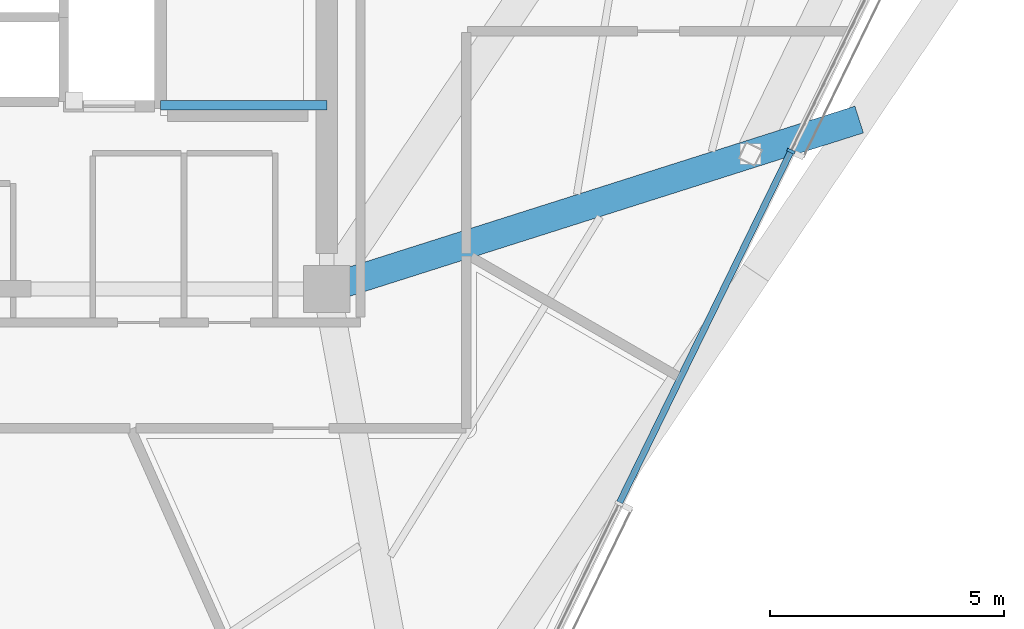
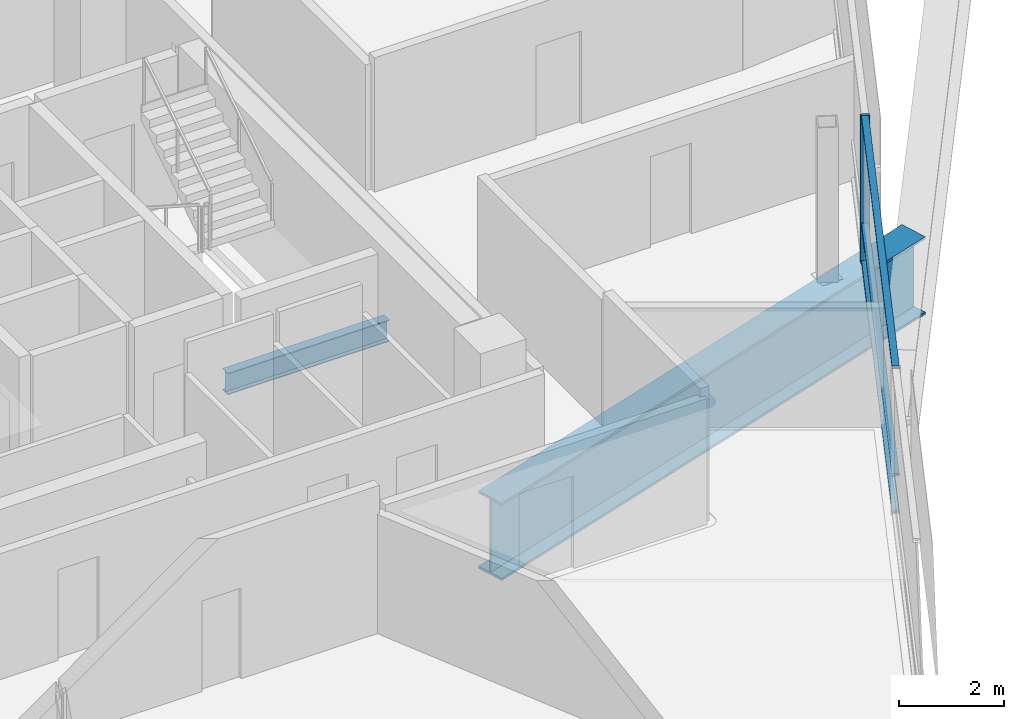
# One storey, part 5 of 17: 4 members, 2 beams, 1 element without a shape of its own.
"""IFC4 building model written with IfcOpenShell, lengths in metres."""

from ifc_helpers import new_model, si_unit, direction, frame, origin, origin_2d, place, context, subcontext, project, spatial, rectangle, i_section, extrude, material, layer, layer_set, material_profile, profile_set, type_object, element, aggregate, save


model = new_model("IFC4")

# Units and contexts
model_context = context("Model", 3, precision=1e-05, world=origin(), true_north=direction((0.0, 1.0)))
body_context = subcontext(model_context, "Body", "Model", "MODEL_VIEW")
ifc_project = project(units=[si_unit("LENGTHUNIT", "METRE"), si_unit("AREAUNIT", "SQUARE_METRE"), si_unit("VOLUMEUNIT", "CUBIC_METRE"), si_unit("PLANEANGLEUNIT", "RADIAN"), si_unit("MASSUNIT", "GRAM", prefix="KILO")], contexts=[model_context])

# Site, building, storey
site_placement = place(None, origin())
site = spatial("IfcSite", under=ifc_project, at=site_placement, CompositionType="ELEMENT")
building_placement = place(site_placement, origin())
building = spatial("IfcBuilding", under=site, at=building_placement, Name="Tharavind Bronze Gate", CompositionType="ELEMENT")
storey_placement = place(building_placement, frame((0.0, 0.0, 253.39990234375)))
storey = spatial("IfcBuildingStorey", under=building, at=storey_placement, Name="L65", CompositionType="ELEMENT", Elevation=253.39990234375)

# Curtain wall, members
ifc_material_1 = material(Name="Anodised Bronze Aluminium", Category="aluminium")
ifc_layer = layer(ifc_material_1, 0.219970703125)
ifc_layer_set = layer_set([ifc_layer], Name="Anodised Bronze Aluminium")
curtain_wall_type = type_object("IfcCurtainWallType", Name="UNITISED CURTAIN WALL UPPER OFFICE", PredefinedType="USERDEFINED", material=ifc_layer_set)
curtain_wall_placement = place(storey_placement, origin())
curtain_wall = element("IfcCurtainWall", 1, at=curtain_wall_placement, inside=storey, type_object=curtain_wall_type, Name="L65 unitised curtain wall upper office CW-L65-S2", ObjectType="UNITISED CURTAIN WALL", PredefinedType="USERDEFINED")
member_type_1 = type_object("IfcMemberType", Name="CURTAIN WALL BRONZE MULLION 65X180", PredefinedType="MULLION", material=ifc_material_1)
member_1_placement = place(storey_placement, frame((18.81494140625, -4.66162109375, 0.000244140625), z_axis=(0.0, 0.0, 1.0), x_axis=(0.43837271548, 0.898793281196, 0.0)))
member_1 = element("IfcMember", 2, at=member_1_placement, type_object=member_type_1, Name="CW-L65-S2 mullion 5", PredefinedType="MULLION", context=body_context, shape_type="SweptSolid", body=[
    extrude(rectangle(XDim=0.06494140625, YDim=0.179931640625, at=origin_2d()), origin(), (0.0, 0.0, 1.0), 3.419921875),
])
member_type_2 = type_object("IfcMemberType", Name="CURTAIN WALL BRONZE TRANSOM 65X140", PredefinedType="USERDEFINED", material=ifc_material_1)
member_2_placement = place(storey_placement, frame((16.979736328125, -8.424072265625, 0.000244140625), z_axis=(0.0, 0.0, 1.0), x_axis=(0.43837271548, 0.898793281196, 0.0)))
member_2 = element("IfcMember", 3, at=member_2_placement, type_object=member_type_2, Name="CW-L65-S2 transom TB4", ObjectType="TRANSOM", PredefinedType="USERDEFINED", context=body_context, shape_type="SweptSolid", body=[
    extrude(rectangle(XDim=8.3193359375, YDim=0.139892578125, at=origin_2d()), origin(), (0.0, 0.0, 1.0), 0.06494140625),
])
member_3_placement = place(storey_placement, frame((16.979736328125, -8.424072265625, 0.86767578125), z_axis=(0.0, 0.0, 1.0), x_axis=(0.43837271548, 0.898793281196, 0.0)))
member_3 = element("IfcMember", 4, at=member_3_placement, type_object=member_type_2, Name="CW-L65-S2 transom TS4", ObjectType="TRANSOM", PredefinedType="USERDEFINED", context=body_context, shape_type="SweptSolid", body=[
    extrude(rectangle(XDim=8.3193359375, YDim=0.139892578125, at=origin_2d()), origin(), (0.0, 0.0, 1.0), 0.06494140625),
])
member_4_placement = place(storey_placement, frame((16.979736328125, -8.424072265625, 3.355224609375), z_axis=(0.0, 0.0, 1.0), x_axis=(0.43837271548, 0.898793281196, 0.0)))
member_4 = element("IfcMember", 5, at=member_4_placement, type_object=member_type_2, Name="CW-L65-S2 transom TT4", ObjectType="TRANSOM", PredefinedType="USERDEFINED", context=body_context, shape_type="SweptSolid", body=[
    extrude(rectangle(XDim=8.3193359375, YDim=0.139892578125, at=origin_2d()), origin(), (0.0, 0.0, 1.0), 0.06494140625),
])
aggregate(curtain_wall, [member_1, member_2, member_3, member_4])

# Beams
ifc_material_2 = material(Name="Steel S355", Category="steel")
ifc_material_profile_1 = material_profile(ifc_material_2, i_section(OverallWidth=0.199951171875, OverallDepth=0.5, WebThickness=0.01025390625, FlangeThickness=0.01611328125, at=origin_2d()), Name="IPE500")
ifc_profile_set_1 = profile_set([ifc_material_profile_1], Name="Steel S355")
beam_type_1 = type_object("IfcBeamType", Name="PRIMARY GIRDER IPE500", PredefinedType="USERDEFINED", material=ifc_profile_set_1)
beam_1_placement = place(storey_placement, frame((5.35009765625, -3.679931640625, 1.35009765625), z_axis=(1.0, 0.0, 0.0), x_axis=(0.0, 1.0, 0.0)))
element("IfcBeam", 6, at=beam_1_placement, inside=storey, type_object=beam_type_1, Name="L65 primary girder ipe500 BM-LD-ST2-L65-1", ObjectType="GIRDER", PredefinedType="USERDEFINED", context=body_context, shape_type="SweptSolid", body=[
    extrude(i_section(OverallWidth=0.199951171875, OverallDepth=0.5, WebThickness=0.01025390625, FlangeThickness=0.01611328125, at=origin_2d()), origin(), (0.0, 0.0, 1.0), 3.5498046875),
])
ifc_material_3 = material(Name="Steel S460", Category="steel")
ifc_material_profile_2 = material_profile(ifc_material_3, i_section(OverallWidth=0.60009765625, OverallDepth=1.800048828125, WebThickness=0.031982421875, FlangeThickness=0.054931640625, at=origin_2d()), Name="PG1800X600")
ifc_profile_set_2 = profile_set([ifc_material_profile_2], Name="Steel S460")
beam_type_2 = type_object("IfcBeamType", Name="TRANSFER GIRDER 1800X600", PredefinedType="USERDEFINED", material=ifc_profile_set_2)
beam_2_placement = place(storey_placement, frame((8.89990234375, -7.60009765625, -1.08984375), z_axis=(0.952974399722, 0.303050810053, 0.0), x_axis=(-0.303050810053, 0.952974399722, 0.0)))
element("IfcBeam", 7, at=beam_2_placement, inside=storey, type_object=beam_type_2, Name="L65 transfer girder 1800x600 BM-L65-XFR07", ObjectType="TRANSFER GIRDER", PredefinedType="USERDEFINED", context=body_context, shape_type="SweptSolid", body=[
    extrude(i_section(OverallWidth=0.60009765625, OverallDepth=1.800048828125, WebThickness=0.031982421875, FlangeThickness=0.054931640625, at=origin_2d()), origin(), (0.0, 0.0, 1.0), 11.93359375),
])

save(model, "model.ifc")
